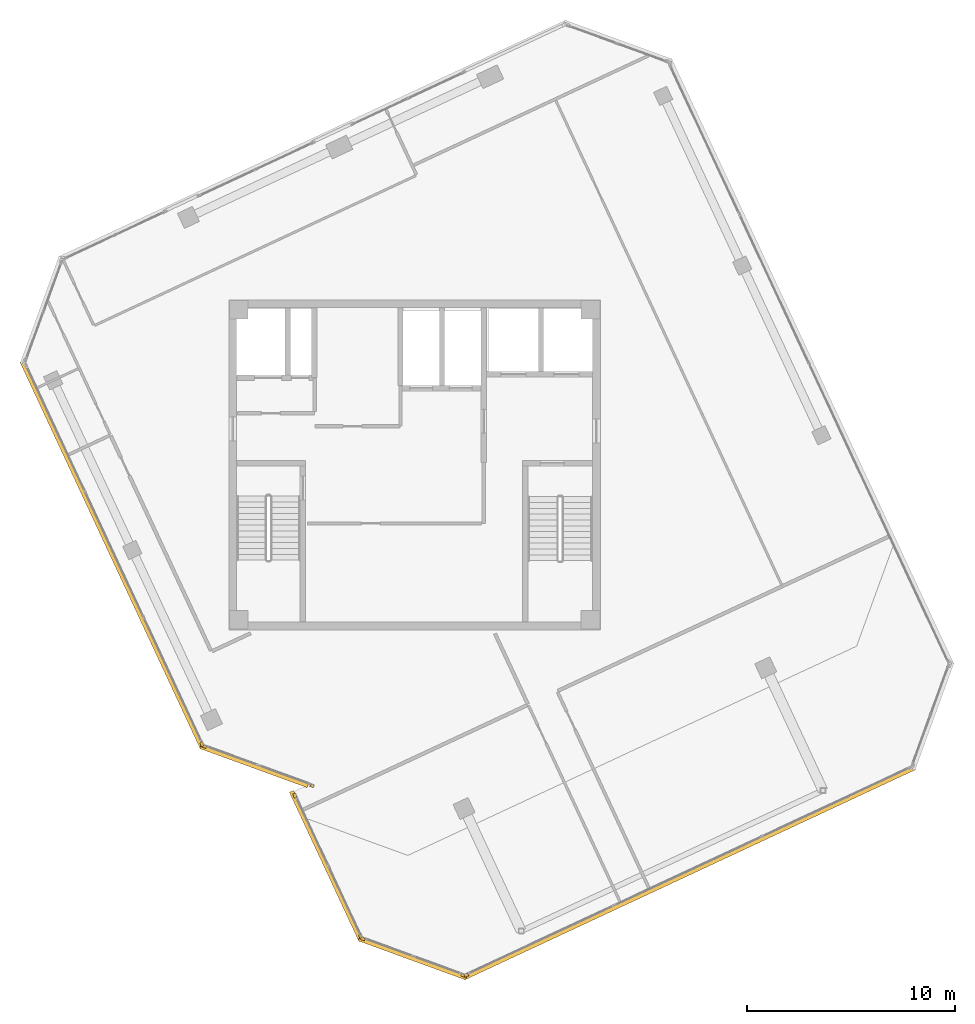
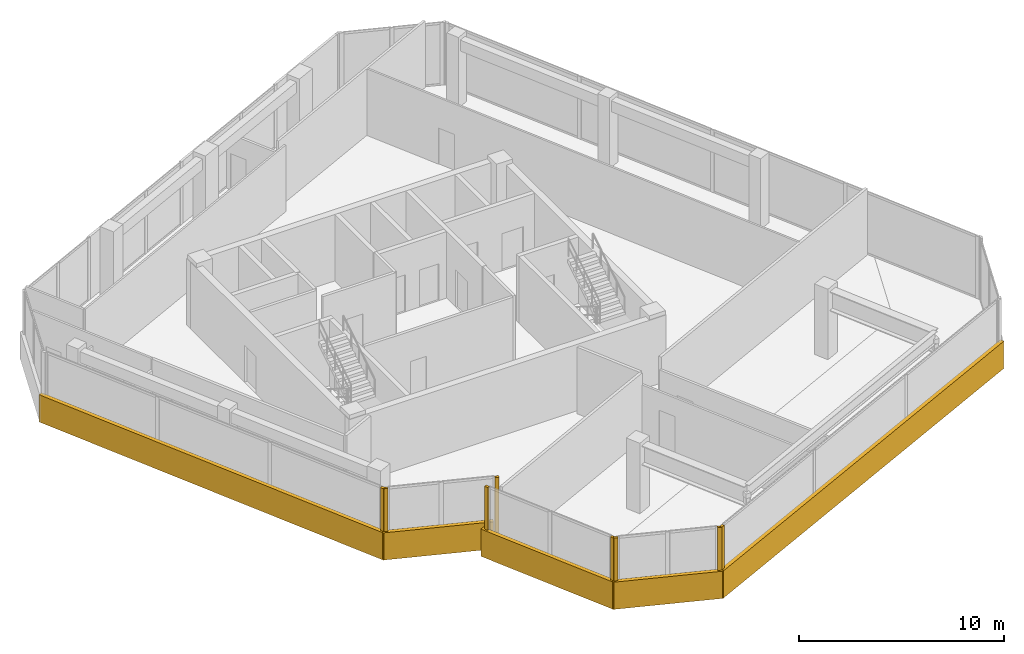
# One storey, part 15 of 17: 13 coverings.
"""IFC4 building model written with IfcOpenShell, lengths in metres."""

from ifc_helpers import new_model, si_unit, direction, frame, origin, origin_2d, place, context, subcontext, project, spatial, rectangle, extrude, source, transform, mapped, material, layer, layer_set, type_object, element, save


model = new_model("IFC4")

# Units and contexts
model_context = context("Model", 3, precision=1e-05, world=origin(), true_north=direction((0.0, 1.0)))
body_context = subcontext(model_context, "Body", "Model", "MODEL_VIEW")
ifc_project = project(units=[si_unit("LENGTHUNIT", "METRE"), si_unit("AREAUNIT", "SQUARE_METRE"), si_unit("VOLUMEUNIT", "CUBIC_METRE"), si_unit("PLANEANGLEUNIT", "RADIAN"), si_unit("MASSUNIT", "GRAM", prefix="KILO")], contexts=[model_context])

# Site, building, storey
site_placement = place(None, origin())
site = spatial("IfcSite", under=ifc_project, at=site_placement, CompositionType="ELEMENT")
building_placement = place(site_placement, origin())
building = spatial("IfcBuilding", under=site, at=building_placement, Name="Torre Montelarca", CompositionType="ELEMENT")
storey_placement = place(building_placement, frame((0.0, 0.0, 340.800048828125)))
storey = spatial("IfcBuildingStorey", under=building, at=storey_placement, Name="L77", CompositionType="ELEMENT", Elevation=340.800048828125)

# Coverings
ifc_material = material(Name="Bush-hammered warm white precast concrete C45/55", Category="concrete")
ifc_layer = layer(ifc_material, 0.139892578125, Name="Bush-hammered warm white precast concrete C45/55", Category="concrete")
ifc_layer_set = layer_set([ifc_layer], Name="Bush-hammered warm white precast concrete C45/55")
covering_type = type_object("IfcCoveringType", Name="COV-TRAY-CLAD", PredefinedType="CLADDING", material=ifc_layer_set)
shared_shape_1 = source(origin(), body_context, "Body", "SweptSolid", [
    extrude(rectangle(XDim=0.199951171875, YDim=0.139892578125, at=origin_2d()), origin(), (0.0, 0.0, 1.0), 3.719970703125),
])
for number, where, z_axis, x_axis, name in (
    (1, (7.784912109375, 18.560302734375, 0.0), (0.0, 0.0, 1.0), (0.422616679935, -0.906308524643, 0.0), "L77 Architectural Column Pier Cladding E01-2"),
    (2, (7.891845703125, 18.462158203125, 0.0), (0.0, 0.0, 1.0), (0.939693217722, -0.342018503252, 0.0), "L77 Architectural Column Pier Cladding E02-1"),
    (3, (13.069580078125, 16.57763671875, 0.0), (0.0, 0.0, 1.0), (0.939693217722, -0.342018503252, 0.0), "L77 Architectural Column Pier Cladding E02-2"),
    (4, (12.239990234375, 16.105224609375, 0.0), (0.0, 0.0, 1.0), (0.422610352697, -0.906311475042, 0.0), "L77 Architectural Column Pier Cladding E04-1"),
    (5, (15.406005859375, 9.31494140625, 0.0), (0.0, 0.0, 1.0), (0.422610352697, -0.906311475042, 0.0), "L77 Architectural Column Pier Cladding E04-2"),
    (6, (15.51318359375, 9.216796875, 0.0), (0.0, 0.0, 1.0), (0.939696202361, -0.342010302869, 0.0), "L77 Architectural Column Pier Cladding E05-1"),
    (7, (20.34521484375, 7.458251953125, 0.0), (0.0, 0.0, 1.0), (0.939696202361, -0.342010302869, 0.0), "L77 Architectural Column Pier Cladding E05-2"),
    (8, (20.490478515625, 7.464599609375, 0.0), (0.0, 0.0, 1.0), (0.906309262247, 0.422615098127, 0.0), "L77 Architectural Column Pier Cladding E06-1"),
):
    element("IfcCovering", number, at=place(storey_placement, frame(where, z_axis=z_axis, x_axis=x_axis)), inside=storey, type_object=covering_type, Name=name, PredefinedType="CLADDING", context=body_context, shape_type="MappedRepresentation", body=[
        mapped(shared_shape_1, transform((0.0, 0.0, 0.0), scale=1.0)),
    ])
shared_shape_2 = source(origin(), body_context, "Body", "SweptSolid", [
    extrude(rectangle(XDim=5.493896484375, YDim=0.219970703125, at=origin_2d()), origin(), (0.0, 0.0, 1.0), 1.6201171875),
])
for number, where, z_axis, x_axis, name in (
    (9, (10.287353515625, 17.526611328125, -0.4501953125), (0.0, 0.0, 1.0), (0.939693217722, -0.342018503252, 0.0), "L77 Architectural White Spandrel Tray Band TRYBOT-02"),
    (10, (17.90869140625, 8.28125, -0.4501953125), (0.0, 0.0, 1.0), (0.939693217722, -0.342018503252, 0.0), "L77 Architectural White Spandrel Tray Band TRYBOT-05"),
):
    element("IfcCovering", number, at=place(storey_placement, frame(where, z_axis=z_axis, x_axis=x_axis)), inside=storey, type_object=covering_type, Name=name, PredefinedType="CLADDING", context=body_context, shape_type="MappedRepresentation", body=[
        mapped(shared_shape_2, transform((0.0, 0.0, 0.0), scale=1.0)),
    ])
shared_shape_3 = source(origin(), body_context, "Body", "SweptSolid", [
    extrude(rectangle(XDim=23.920166015625, YDim=0.219970703125, at=origin_2d()), origin(), (0.0, 0.0, 1.0), 1.6201171875),
])
covering_1_placement = place(storey_placement, frame((31.19580078125, 12.390380859375, -0.4501953125), z_axis=(0.0, 0.0, 1.0), x_axis=(0.906308524643, 0.422616679935, 0.0)))
element("IfcCovering", 11, at=covering_1_placement, inside=storey, type_object=covering_type, Name="L77 Architectural White Spandrel Tray Band TRYBOT-06", PredefinedType="CLADDING", context=body_context, shape_type="MappedRepresentation", body=[
    mapped(shared_shape_3, transform((0.0, 0.0, 0.0), scale=1.0)),
])
shared_shape_4 = source(origin(), body_context, "Body", "SweptSolid", [
    extrude(rectangle(XDim=20.52001953125, YDim=0.219970703125, at=origin_2d()), origin(), (0.0, 0.0, 1.0), 1.6201171875),
])
covering_2_placement = place(storey_placement, frame((3.46875, 27.67431640625, -0.4501953125), z_axis=(0.0, 0.0, 1.0), x_axis=(0.422616679935, -0.906308524643, 0.0)))
element("IfcCovering", 12, at=covering_2_placement, inside=storey, type_object=covering_type, Name="L77 Architectural White Spandrel Tray Band TRYBOT-01", PredefinedType="CLADDING", context=body_context, shape_type="MappedRepresentation", body=[
    mapped(shared_shape_4, transform((0.0, 0.0, 0.0), scale=1.0)),
])
shared_shape_5 = source(origin(), body_context, "Body", "SweptSolid", [
    extrude(rectangle(XDim=7.919921875, YDim=0.219970703125, at=origin_2d()), origin(), (0.0, 0.0, 1.0), 1.6201171875),
])
covering_3_placement = place(storey_placement, frame((13.75244140625, 12.71923828125, -0.4501953125), z_axis=(0.0, 0.0, 1.0), x_axis=(0.422616679935, -0.906308524643, 0.0)))
element("IfcCovering", 13, at=covering_3_placement, inside=storey, type_object=covering_type, Name="L77 Architectural White Spandrel Tray Band TRYBOT-04", PredefinedType="CLADDING", context=body_context, shape_type="MappedRepresentation", body=[
    mapped(shared_shape_5, transform((0.0, 0.0, 0.0), scale=1.0)),
])

save(model, "model.ifc")
